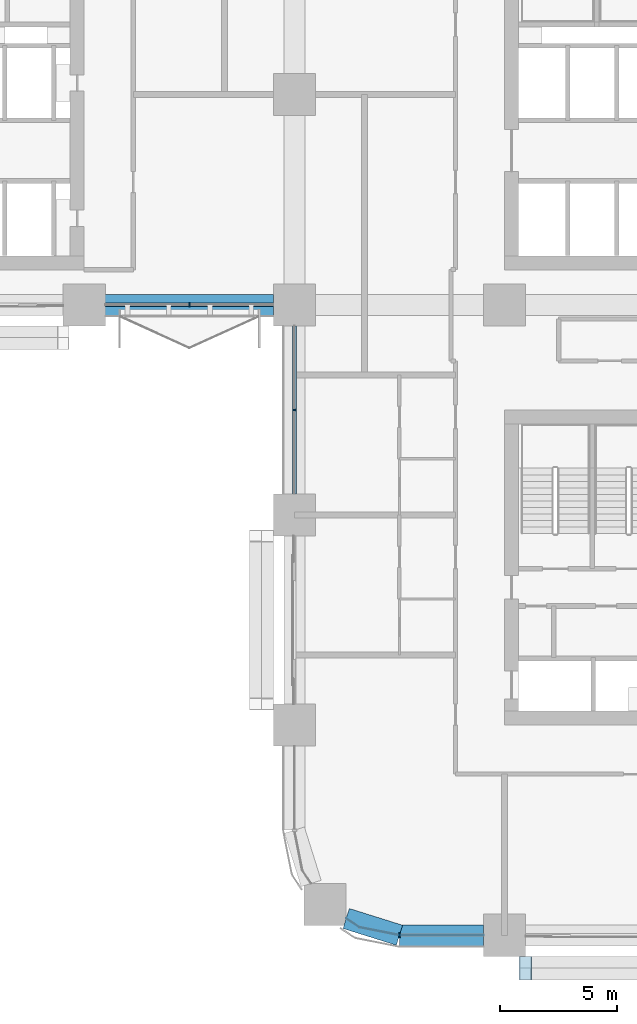
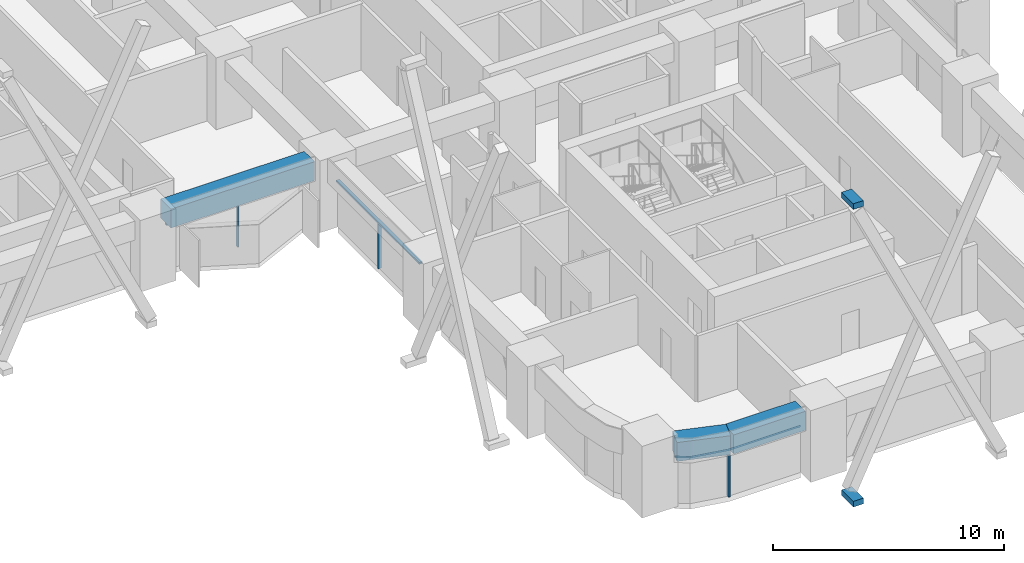
# One storey, part 3 of 19: 8 members, 3 beams, 3 elements without a shape of their own.
"""IFC4 building model written with IfcOpenShell, lengths in metres."""

from ifc_helpers import new_model, si_unit, direction, frame, origin, origin_2d, place, context, subcontext, project, spatial, polyline, rectangle, outline, extrude, material, layer, layer_set, material_profile, profile_set, type_object, element, aggregate, save


model = new_model("IFC4")

# Units and contexts
model_context = context("Model", 3, precision=1e-05, world=origin(), true_north=direction((0.0, 1.0)))
body_context = subcontext(model_context, "Body", "Model", "MODEL_VIEW")
ifc_project = project(units=[si_unit("LENGTHUNIT", "METRE"), si_unit("AREAUNIT", "SQUARE_METRE"), si_unit("VOLUMEUNIT", "CUBIC_METRE"), si_unit("PLANEANGLEUNIT", "RADIAN"), si_unit("MASSUNIT", "GRAM", prefix="KILO")], contexts=[model_context])

# Site, building, storey
site_placement = place(None, origin())
site = spatial("IfcSite", under=ifc_project, at=site_placement, CompositionType="ELEMENT")
building_placement = place(site_placement, origin())
building = spatial("IfcBuilding", under=site, at=building_placement, Name="Tessera Arch", CompositionType="ELEMENT")
storey_placement = place(building_placement, frame((0.0, 0.0, 93.0)))
storey = spatial("IfcBuildingStorey", under=building, at=storey_placement, Name="L21", CompositionType="ELEMENT", Elevation=93.0)

# Curtain wall, member
ifc_material_1 = material(Name="CW1 curtain wall")
curtain_wall_type_1 = type_object("IfcCurtainWallType", Name="CW1 curtain wall", PredefinedType="NOTDEFINED", material=ifc_material_1)
curtain_wall_1_placement = place(storey_placement, origin())
curtain_wall_1 = element("IfcCurtainWall", 1, at=curtain_wall_1_placement, inside=storey, type_object=curtain_wall_type_1, Name="CW1 curtain wall S27.0/2 L21", PredefinedType="NOTDEFINED")
ifc_material_2 = material(Name="Anodised aluminium pale metal", Category="aluminium")
ifc_material_profile_1 = material_profile(ifc_material_2, rectangle(XDim=0.159912109375, YDim=0.06005859375, at=origin_2d()), Name="AL 60x160")
ifc_profile_set_1 = profile_set([ifc_material_profile_1], Name="Anodised aluminium pale metal")
member_type_1 = type_object("IfcMemberType", Name="CW1 mullion", PredefinedType="MULLION", material=ifc_profile_set_1)
member_1_placement = place(storey_placement, frame((22.5, 27.0, 0.0), z_axis=(0.0, 0.0, 1.0), x_axis=(0.0, 1.0, 0.0)))
member_1 = element("IfcMember", 2, at=member_1_placement, type_object=member_type_1, Name="CW1 mullion S27.0/2 1", PredefinedType="MULLION", context=body_context, shape_type="SweptSolid", body=[
    extrude(rectangle(XDim=0.159912109375, YDim=0.06005859375, at=origin_2d()), origin(), (0.0, 0.0, 1.0), 2.39990234375),
])

curtain_wall_2_placement = place(storey_placement, origin())
curtain_wall_2 = element("IfcCurtainWall", 3, at=curtain_wall_2_placement, inside=storey, type_object=curtain_wall_type_1, Name="CW1 curtain wall W27.0/0 L21", PredefinedType="NOTDEFINED")
member_2_placement = place(storey_placement, frame((27.0, 22.5, 0.0), z_axis=(0.0, 0.0, 1.0), x_axis=(1.0, 0.0, 0.0)))
member_2 = element("IfcMember", 4, at=member_2_placement, type_object=member_type_1, Name="CW1 mullion W27.0/0 1", PredefinedType="MULLION", context=body_context, shape_type="SweptSolid", body=[
    extrude(rectangle(XDim=0.159912109375, YDim=0.06005859375, at=origin_2d()), origin(), (0.0, 0.0, 1.0), 2.39990234375),
])

# Member
ifc_material_3 = material(Name="Anodised aluminium pale metal", Category="aluminium")
ifc_material_profile_2 = material_profile(ifc_material_3, rectangle(XDim=0.159912109375, YDim=0.10009765625, at=origin_2d()), Name="AL 160x100")
ifc_profile_set_2 = profile_set([ifc_material_profile_2], Name="Anodised aluminium pale metal")
member_type_2 = type_object("IfcMemberType", Name="CW1 transom", PredefinedType="USERDEFINED", material=ifc_profile_set_2)
member_3_placement = place(storey_placement, frame((18.89990234375, 27.0, 2.449951171875), z_axis=(1.0, 0.0, 0.0), x_axis=(0.0, 1.0, 0.0)))
member_3 = element("IfcMember", 5, at=member_3_placement, type_object=member_type_2, Name="CW1 transom S27.0/2 1.1", ObjectType="TRANSOM", PredefinedType="USERDEFINED", context=body_context, shape_type="SweptSolid", body=[
    extrude(rectangle(XDim=0.159912109375, YDim=0.10009765625, at=origin_2d()), origin(), (0.0, 0.0, 1.0), 7.2001953125),
])

aggregate(curtain_wall_1, [member_1, member_3])

member_4_placement = place(storey_placement, frame((27.0, 26.10009765625, 2.449951171875), z_axis=(0.0, -1.0, 0.0), x_axis=(1.0, 0.0, 0.0)))
member_4 = element("IfcMember", 6, at=member_4_placement, type_object=member_type_2, Name="CW1 transom W27.0/0 1.1", ObjectType="TRANSOM", PredefinedType="USERDEFINED", context=body_context, shape_type="SweptSolid", body=[
    extrude(rectangle(XDim=0.159912109375, YDim=0.10009765625, at=origin_2d()), origin(), (0.0, 0.0, 1.0), 7.2001953125),
])

aggregate(curtain_wall_2, [member_2, member_4])

# Curtain wall, members
ifc_material_4 = material(Name="CW2 curtain wall")
curtain_wall_type_2 = type_object("IfcCurtainWallType", Name="CW2 curtain wall", PredefinedType="NOTDEFINED", material=ifc_material_4)
curtain_wall_3_placement = place(storey_placement, origin())
curtain_wall_3 = element("IfcCurtainWall", 7, at=curtain_wall_3_placement, inside=storey, type_object=curtain_wall_type_2, Name="CW2 curtain wall S0.27/0 L21", PredefinedType="NOTDEFINED")
ifc_material_5 = material(Name="Anodised aluminium pale metal", Category="aluminium")
ifc_material_profile_3 = material_profile(ifc_material_5, rectangle(XDim=0.199951171875, YDim=0.080078125, at=origin_2d()), Name="AL 80x200")
ifc_profile_set_3 = profile_set([ifc_material_profile_3], Name="Anodised aluminium pale metal")
member_type_3 = type_object("IfcMemberType", Name="CW2 mullion", PredefinedType="MULLION", material=ifc_profile_set_3)
member_5_placement = place(storey_placement, frame((31.5, 0.0, 0.0), z_axis=(0.0, 0.0, 1.0), x_axis=(0.0, 1.0, 0.0)))
member_5 = element("IfcMember", 8, at=member_5_placement, type_object=member_type_3, Name="CW2 mullion S0.27/0 1", PredefinedType="MULLION", context=body_context, shape_type="SweptSolid", body=[
    extrude(rectangle(XDim=0.199951171875, YDim=0.080078125, at=origin_2d()), origin(), (0.0, 0.0, 1.0), 2.39990234375),
])
ifc_material_6 = material(Name="Anodised aluminium pale metal", Category="aluminium")
ifc_material_profile_4 = material_profile(ifc_material_6, rectangle(XDim=0.199951171875, YDim=0.10009765625, at=origin_2d()), Name="AL 200x100")
ifc_profile_set_4 = profile_set([ifc_material_profile_4], Name="Anodised aluminium pale metal")
member_type_4 = type_object("IfcMemberType", Name="CW2 transom", PredefinedType="USERDEFINED", material=ifc_profile_set_4)
member_6_placement = place(storey_placement, frame((0.0, 0.0, 2.39990234375)))
member_6 = element("IfcMember", 9, at=member_6_placement, type_object=member_type_4, Name="CW2 transom S0.27/0 1", ObjectType="TRANSOM", PredefinedType="USERDEFINED", context=body_context, shape_type="SweptSolid", body=[
    extrude(outline(polyline([(29.78173828125, 0.351806640625), (29.2236328125, 0.72509765625), (29.21240234375, 0.70849609375), (29.77392578125, 0.3330078125), (31.4990234375, -0.010009765625), (35.10009765625, -0.010009765625), (35.10009765625, 0.010009765625), (31.5009765625, 0.010009765625), (29.78173828125, 0.351806640625)])), origin(), (0.0, 0.0, 1.0), 0.10009765625),
])
aggregate(curtain_wall_3, [member_5, member_6])

# Members
ifc_material_7 = material(Name="Steel A572 Gr50", Category="steel")
ifc_layer = layer(ifc_material_7, 0.050048828125)
ifc_layer_set = layer_set([ifc_layer], Name="Node block Steel A572 Gr50")
member_type_5 = type_object("IfcMemberType", Name="Node block Steel A572 Gr50", PredefinedType="PLATE", material=ifc_layer_set)
for number, where, z_axis, x_axis, name in (
    (10, (36.89990234375, -1.407958984375, -1.2314453125), (0.0, 0.0, 1.0), (1.0, 0.0, 0.0), "Node block seat S0.27-1 2 L21"),
    (11, (36.89990234375, -1.407958984375, 14.53125), (0.0, 0.0, 1.0), (1.0, 0.0, 0.0), "Node block head S0.27-1 B L21"),
):
    element("IfcMember", number, at=place(storey_placement, frame(where, z_axis=z_axis, x_axis=x_axis)), inside=storey, type_object=member_type_5, Name=name, PredefinedType="PLATE", context=body_context, shape_type="SweptSolid", body=[
        extrude(rectangle(XDim=0.508056640625, YDim=1.01611328125, at=origin_2d()), origin(), (0.0, 0.0, 1.0), 0.300048828125),
    ])

# Beams
ifc_material_8 = material(Name="Concrete C80/95", Category="concrete")
ifc_material_profile_5 = material_profile(ifc_material_8, rectangle(XDim=0.89990234375, YDim=1.0, at=origin_2d()), Name="RC spandrel beam 900 x 1000 Concrete C80/95")
ifc_profile_set_5 = profile_set([ifc_material_profile_5], Name="Concrete C80/95")
beam_type = type_object("IfcBeamType", Name="RC spandrel beam 900 x 1000 Concrete C80/95", PredefinedType="BEAM", material=ifc_profile_set_5)
beam_1_placement = place(storey_placement, frame((18.89990234375, 27.0, 3.0), z_axis=(1.0, 0.0, 0.0), x_axis=(0.0, 1.0, 0.0)))
element("IfcBeam", 12, at=beam_1_placement, inside=storey, type_object=beam_type, Name="Spandrel beam L21 S27.0/2", PredefinedType="BEAM", context=body_context, shape_type="SweptSolid", body=[
    extrude(rectangle(XDim=0.89990234375, YDim=1.0, at=origin_2d()), origin(), (0.0, 0.0, 1.0), 7.2001953125),
])
beam_2_placement = place(storey_placement, frame((29.218017578125, 0.716796875, 3.0), z_axis=(0.954041251279, -0.299675309057, 0.0), x_axis=(0.299675309057, 0.954041251279, 0.0)))
element("IfcBeam", 13, at=beam_2_placement, inside=storey, type_object=beam_type, Name="Spandrel beam L21 S0.27/0.1", PredefinedType="BEAM", context=body_context, shape_type="SweptSolid", body=[
    extrude(rectangle(XDim=0.89990234375, YDim=1.0, at=origin_2d()), origin(), (0.0, 0.0, 1.0), 2.391845703125),
])
beam_3_placement = place(storey_placement, frame((31.5, 0.0, 3.0), z_axis=(1.0, 0.0, 0.0), x_axis=(0.0, 1.0, 0.0)))
element("IfcBeam", 14, at=beam_3_placement, inside=storey, type_object=beam_type, Name="Spandrel beam L21 S0.27/0.2", PredefinedType="BEAM", context=body_context, shape_type="SweptSolid", body=[
    extrude(rectangle(XDim=0.89990234375, YDim=1.0, at=origin_2d()), origin(), (0.0, 0.0, 1.0), 3.60009765625),
])

save(model, "model.ifc")
